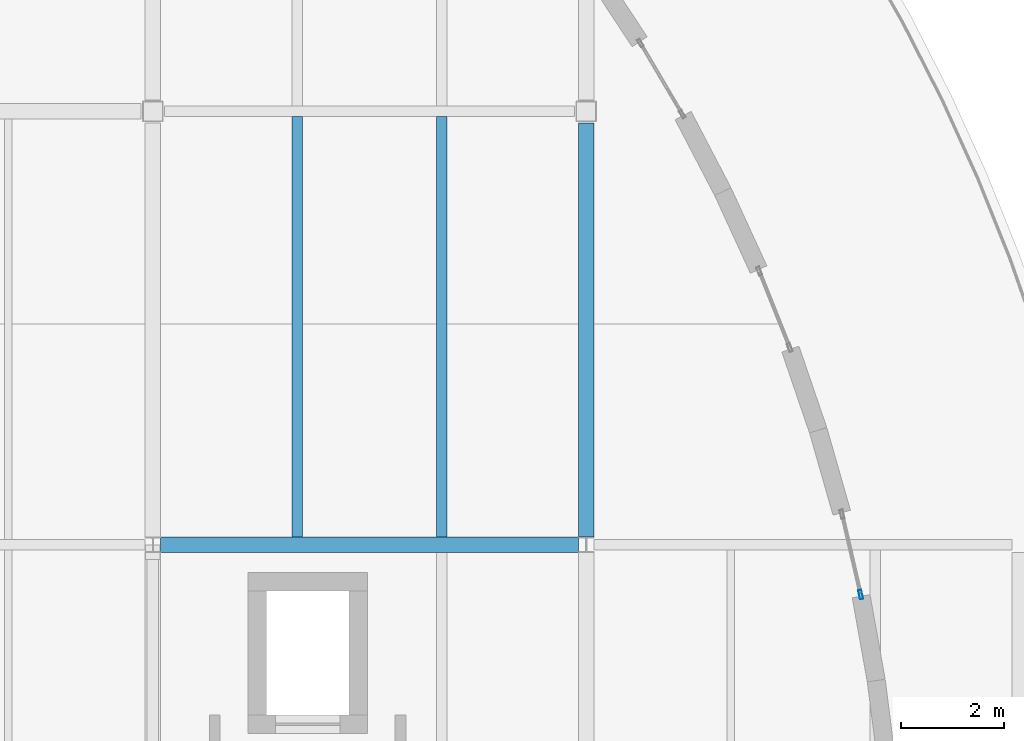
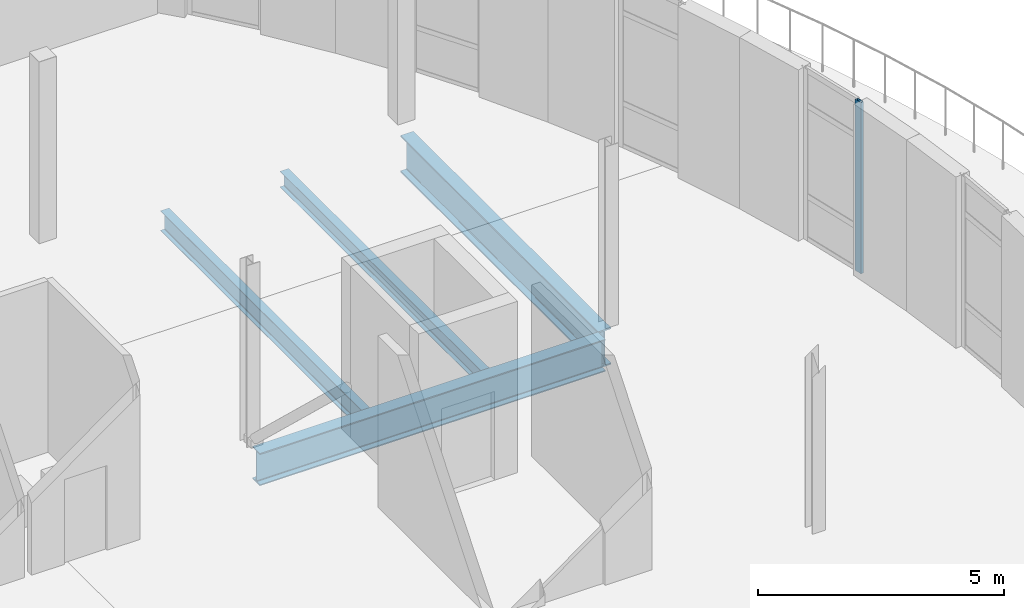
# One storey, part 14 of 40: 4 beams, 1 member, 1 element without a shape of its own.
"""IFC4 building model written with IfcOpenShell, lengths in metres."""

from ifc_helpers import new_model, si_unit, direction, frame, origin, origin_2d, place, context, subcontext, project, spatial, hollow_rectangle, i_section, extrude, material, layer, layer_set, material_profile, profile_set, type_object, element, aggregate, save


model = new_model("IFC4")

# Units and contexts
model_context = context("Model", 3, precision=1e-05, world=origin(), true_north=direction((0.0, 1.0)))
body_context = subcontext(model_context, "Body", "Model", "MODEL_VIEW")
ifc_project = project(units=[si_unit("LENGTHUNIT", "METRE"), si_unit("AREAUNIT", "SQUARE_METRE"), si_unit("VOLUMEUNIT", "CUBIC_METRE"), si_unit("PLANEANGLEUNIT", "RADIAN"), si_unit("MASSUNIT", "GRAM", prefix="KILO"), si_unit("THERMODYNAMICTEMPERATUREUNIT", "KELVIN")], contexts=[model_context])

# Site, building, storey
site_placement = place(None, origin())
site = spatial("IfcSite", under=ifc_project, at=site_placement, CompositionType="ELEMENT")
building_placement = place(site_placement, origin())
building = spatial("IfcBuilding", under=site, at=building_placement, Name="Lustrewick Department Store", CompositionType="ELEMENT")
storey_placement = place(building_placement, frame((0.0, 0.0, 31.800048828125)))
storey = spatial("IfcBuildingStorey", under=building, at=storey_placement, Name="L07", CompositionType="ELEMENT", Elevation=31.800048828125)

# Beams
ifc_material_1 = material(Name="Structural steel Q355B", Category="steel")
ifc_material_profile_1 = material_profile(ifc_material_1, i_section(OverallWidth=0.198974609375, OverallDepth=0.49609375, WebThickness=0.009033203125, FlangeThickness=0.013916015625, FilletRadius=0.01611328125, at=origin_2d()), Name="HN 496x199x9x14")
ifc_profile_set_1 = profile_set([ifc_material_profile_1], Name="Structural steel Q355B")
beam_type_1 = type_object("IfcBeamType", Name="B02", PredefinedType="JOIST", material=ifc_profile_set_1)
beam_1_placement = place(storey_placement, frame((137.199951171875, 67.35009765625, -0.5029296875), z_axis=(0.0, 1.0, 0.0), x_axis=(-1.0, 0.0, 0.0)))
element("IfcBeam", 1, at=beam_1_placement, inside=storey, type_object=beam_type_1, Name="L07 V4 Secondary Joist B02", PredefinedType="JOIST", context=body_context, shape_type="SweptSolid", body=[
    extrude(i_section(OverallWidth=0.198974609375, OverallDepth=0.49609375, WebThickness=0.009033203125, FlangeThickness=0.013916015625, FilletRadius=0.01611328125, at=origin_2d()), origin(), (0.0, 0.0, 1.0), 8.1494140625),
])
ifc_material_profile_2 = material_profile(ifc_material_1, i_section(OverallWidth=0.198974609375, OverallDepth=0.39599609375, WebThickness=0.007080078125, FlangeThickness=0.010986328125, FilletRadius=0.013916015625, at=origin_2d()), Name="HN 396x199x7x11")
ifc_profile_set_2 = profile_set([ifc_material_profile_2], Name="Structural steel Q355B")
beam_type_2 = type_object("IfcBeamType", Name="B06", PredefinedType="JOIST", material=ifc_profile_set_2)
beam_2_placement = place(storey_placement, frame((140.0, 67.35009765625, -0.453125), z_axis=(0.0, 1.0, 0.0), x_axis=(-1.0, 0.0, 0.0)))
element("IfcBeam", 2, at=beam_2_placement, inside=storey, type_object=beam_type_2, Name="L07 V4 Secondary Joist B06", PredefinedType="JOIST", context=body_context, shape_type="SweptSolid", body=[
    extrude(i_section(OverallWidth=0.198974609375, OverallDepth=0.39599609375, WebThickness=0.007080078125, FlangeThickness=0.010986328125, FilletRadius=0.013916015625, at=origin_2d()), origin(), (0.0, 0.0, 1.0), 8.1494140625),
])

# Curtain wall, member
ifc_material_2 = material(Name="Thermally broken aluminium 6063-T5", Category="aluminium")
ifc_layer = layer(ifc_material_2, 0.179931640625, Name="Thermally broken aluminium 6063-T5")
ifc_layer_set = layer_set([ifc_layer], Name="Thermally broken aluminium 6063-T5")
curtain_wall_type = type_object("IfcCurtainWallType", Name="CW11", PredefinedType="NOTDEFINED", material=ifc_layer_set)
curtain_wall_placement = place(storey_placement, origin())
curtain_wall = element("IfcCurtainWall", 3, at=curtain_wall_placement, inside=storey, type_object=curtain_wall_type, Name="L07 V4 Curtain Wall CW11", PredefinedType="NOTDEFINED")
ifc_material_profile_3 = material_profile(ifc_material_2, hollow_rectangle(XDim=0.06494140625, YDim=0.179931640625, WallThickness=0.00390625, at=origin_2d()), Name="ALU-M 65x180x4")
ifc_profile_set_3 = profile_set([ifc_material_profile_3], Name="Thermally broken aluminium 6063-T5")
member_type = type_object("IfcMemberType", Name="CW11-M1", PredefinedType="MULLION", material=ifc_profile_set_3)
member_placement = place(storey_placement, frame((148.121337890625, 66.234375, 0.0), z_axis=(0.0, 0.0, 1.0), x_axis=(-0.974109506867, -0.226076687502, 0.0)))
member = element("IfcMember", 4, at=member_placement, type_object=member_type, Name="CW11 mullion 1", PredefinedType="MULLION", context=body_context, shape_type="SweptSolid", body=[
    extrude(hollow_rectangle(XDim=0.06494140625, YDim=0.179931640625, WallThickness=0.00390625, at=origin_2d()), origin(), (0.0, 0.0, 1.0), 4.244873046875),
])
aggregate(curtain_wall, [member])

# Beams
ifc_material_3 = material(Name="Structural steel Q355C", Category="steel")
ifc_material_profile_4 = material_profile(ifc_material_3, i_section(OverallWidth=0.302001953125, OverallDepth=0.912109375, WebThickness=0.01806640625, FlangeThickness=0.033935546875, FilletRadius=0.02392578125, at=origin_2d()), Name="HN 912x302x18x34")
ifc_profile_set_4 = profile_set([ifc_material_profile_4], Name="Structural steel Q355C")
beam_type_3 = type_object("IfcBeamType", Name="G01", PredefinedType="BEAM", material=ifc_profile_set_4)
beam_3_placement = place(storey_placement, frame((142.800048828125, 67.35009765625, -0.7109375), z_axis=(0.0, 1.0, 0.0), x_axis=(-1.0, 0.0, 0.0)))
element("IfcBeam", 5, at=beam_3_placement, inside=storey, type_object=beam_type_3, Name="L07 V4 Girder G01", PredefinedType="BEAM", context=body_context, shape_type="SweptSolid", body=[
    extrude(i_section(OverallWidth=0.302001953125, OverallDepth=0.912109375, WebThickness=0.01806640625, FlangeThickness=0.033935546875, FilletRadius=0.02392578125, at=origin_2d()), origin(), (0.0, 0.0, 1.0), 8.02490234375),
])
ifc_material_profile_5 = material_profile(ifc_material_1, i_section(OverallWidth=0.300048828125, OverallDepth=0.800048828125, WebThickness=0.013916015625, FlangeThickness=0.02587890625, FilletRadius=0.02197265625, at=origin_2d()), Name="HN 800x300x14x26")
ifc_profile_set_5 = profile_set([ifc_material_profile_5], Name="Structural steel Q355B")
beam_type_4 = type_object("IfcBeamType", Name="G05", PredefinedType="BEAM", material=ifc_profile_set_5)
beam_4_placement = place(storey_placement, frame((134.550048828125, 67.199951171875, -0.655029296875), z_axis=(1.0, 0.0, 0.0), x_axis=(0.0, 1.0, 0.0)))
element("IfcBeam", 6, at=beam_4_placement, inside=storey, type_object=beam_type_4, Name="L07 V4 Girder G05", PredefinedType="BEAM", context=body_context, shape_type="SweptSolid", body=[
    extrude(i_section(OverallWidth=0.300048828125, OverallDepth=0.800048828125, WebThickness=0.013916015625, FlangeThickness=0.02587890625, FilletRadius=0.02197265625, at=origin_2d()), origin(), (0.0, 0.0, 1.0), 8.099853515625),
])

save(model, "model.ifc")
